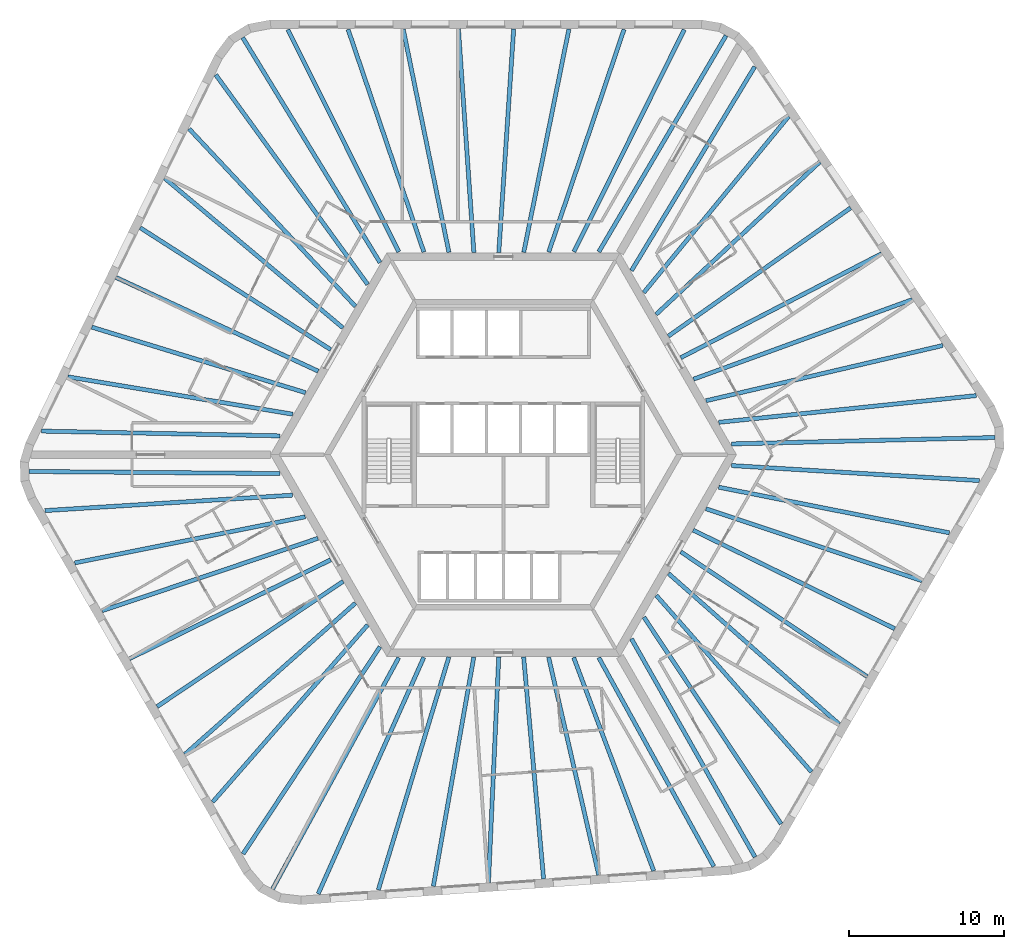
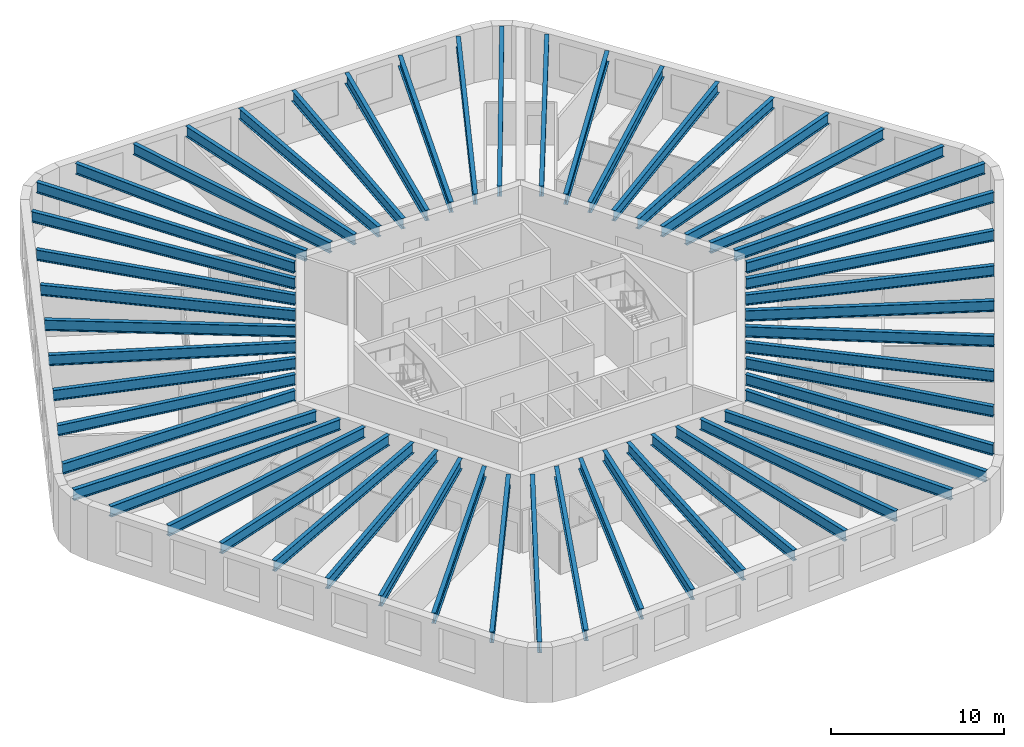
# One storey, part 1 of 10: 54 beams.
"""IFC4 building model written with IfcOpenShell, lengths in metres."""

from ifc_helpers import new_model, si_unit, direction, frame, origin, origin_2d, place, context, subcontext, project, spatial, i_section, extrude, material, material_profile, profile_set, type_object, element, save


model = new_model("IFC4")

# Units and contexts
model_context = context("Model", 3, precision=1e-05, world=origin(), true_north=direction((0.0, 1.0)))
body_context = subcontext(model_context, "Body", "Model", "MODEL_VIEW")
ifc_project = project(units=[si_unit("LENGTHUNIT", "METRE"), si_unit("AREAUNIT", "SQUARE_METRE"), si_unit("VOLUMEUNIT", "CUBIC_METRE"), si_unit("PLANEANGLEUNIT", "RADIAN"), si_unit("MASSUNIT", "GRAM", prefix="KILO")], contexts=[model_context])

# Site, building, storey
site_placement = place(None, origin())
site = spatial("IfcSite", under=ifc_project, at=site_placement, CompositionType="ELEMENT")
building_placement = place(site_placement, origin())
building = spatial("IfcBuilding", under=site, at=building_placement, Name="Tarnside Tower", CompositionType="ELEMENT")
storey_placement = place(building_placement, frame((0.0, 0.0, 172.199951171875)))
storey = spatial("IfcBuildingStorey", under=building, at=storey_placement, Name="L40", CompositionType="ELEMENT", Elevation=172.199951171875)

# Beams
ifc_material = material(Name="Steel S355", Category="steel")
ifc_material_profile_1 = material_profile(ifc_material, i_section(OverallWidth=0.26513671875, OverallDepth=0.75390625, WebThickness=0.0126953125, FlangeThickness=0.017578125, FilletRadius=0.0166015625, at=origin_2d()), Name="UB 762x267x147")
ifc_profile_set_1 = profile_set([ifc_material_profile_1], Name="Steel S355")
beam_type_1 = type_object("IfcBeamType", Name="Floor beam UB 762x267x147", PredefinedType="BEAM", material=ifc_profile_set_1)
beam_1_placement = place(storey_placement, frame((7.77001953125, 27.393310546875, 3.373046875), z_axis=(-0.320362579778, -0.947295000239, 0.0), x_axis=(0.947295000239, -0.320362579778, 0.0)))
element("IfcBeam", 1, at=beam_1_placement, inside=storey, type_object=beam_type_1, Name="Floor beam F1.02", PredefinedType="BEAM", context=body_context, shape_type="SweptSolid", body=[
    extrude(i_section(OverallWidth=0.26513671875, OverallDepth=0.75390625, WebThickness=0.0126953125, FlangeThickness=0.017578125, FilletRadius=0.0166015625, at=origin_2d()), origin(), (0.0, 0.0, 1.0), 15.134033203125),
])
beam_2_placement = place(storey_placement, frame((4.218505859375, 27.410888671875, 3.373046875), z_axis=(-0.19841777413, -0.980117537293, 0.0), x_axis=(0.980117537293, -0.19841777413, 0.0)))
element("IfcBeam", 2, at=beam_2_placement, inside=storey, type_object=beam_type_1, Name="Floor beam F1.03", PredefinedType="BEAM", context=body_context, shape_type="SweptSolid", body=[
    extrude(i_section(OverallWidth=0.26513671875, OverallDepth=0.75390625, WebThickness=0.0126953125, FlangeThickness=0.017578125, FilletRadius=0.0166015625, at=origin_2d()), origin(), (0.0, 0.0, 1.0), 14.6630859375),
])
beam_3_placement = place(storey_placement, frame((0.66259765625, 27.429931640625, 3.373046875), z_axis=(-0.066554914868, -0.997782763585, 0.0), x_axis=(0.997782763585, -0.066554914868, 0.0)))
element("IfcBeam", 3, at=beam_3_placement, inside=storey, type_object=beam_type_1, Name="Floor beam F1.04", PredefinedType="BEAM", context=body_context, shape_type="SweptSolid", body=[
    extrude(i_section(OverallWidth=0.26513671875, OverallDepth=0.75390625, WebThickness=0.0126953125, FlangeThickness=0.017578125, FilletRadius=0.0166015625, at=origin_2d()), origin(), (0.0, 0.0, 1.0), 14.44189453125),
])
beam_4_placement = place(storey_placement, frame((-2.8974609375, 27.429931640625, 3.373046875), z_axis=(0.068876921658, -0.997625164911, 0.0), x_axis=(0.997625164911, 0.068876921658, 0.0)))
element("IfcBeam", 4, at=beam_4_placement, inside=storey, type_object=beam_type_1, Name="Floor beam F1.05", PredefinedType="BEAM", context=body_context, shape_type="SweptSolid", body=[
    extrude(i_section(OverallWidth=0.26513671875, OverallDepth=0.75390625, WebThickness=0.0126953125, FlangeThickness=0.017578125, FilletRadius=0.0166015625, at=origin_2d()), origin(), (0.0, 0.0, 1.0), 14.4443359375),
])
beam_5_placement = place(storey_placement, frame((-6.45361328125, 27.410888671875, 3.373046875), z_axis=(0.200623497398, -0.979668419564, 0.0), x_axis=(0.979668419564, 0.200623497398, 0.0)))
element("IfcBeam", 5, at=beam_5_placement, inside=storey, type_object=beam_type_1, Name="Floor beam F1.06", PredefinedType="BEAM", context=body_context, shape_type="SweptSolid", body=[
    extrude(i_section(OverallWidth=0.26513671875, OverallDepth=0.75390625, WebThickness=0.0126953125, FlangeThickness=0.017578125, FilletRadius=0.0166015625, at=origin_2d()), origin(), (0.0, 0.0, 1.0), 14.669921875),
])
beam_6_placement = place(storey_placement, frame((-10.0048828125, 27.393310546875, 3.373046875), z_axis=(0.322343712034, -0.946622697442, 0.0), x_axis=(0.946622697442, 0.322343712034, 0.0)))
element("IfcBeam", 6, at=beam_6_placement, inside=storey, type_object=beam_type_1, Name="Floor beam F1.07", PredefinedType="BEAM", context=body_context, shape_type="SweptSolid", body=[
    extrude(i_section(OverallWidth=0.26513671875, OverallDepth=0.75390625, WebThickness=0.0126953125, FlangeThickness=0.017578125, FilletRadius=0.0166015625, at=origin_2d()), origin(), (0.0, 0.0, 1.0), 15.144775390625),
])
beam_7_placement = place(storey_placement, frame((-20.241455078125, 20.9892578125, 3.373046875), z_axis=(0.683752330283, -0.729714156936, 0.0), x_axis=(0.729714156936, 0.683752330283, 0.0)))
element("IfcBeam", 7, at=beam_7_placement, inside=storey, type_object=beam_type_1, Name="Floor beam F2.02", PredefinedType="BEAM", context=body_context, shape_type="SweptSolid", body=[
    extrude(i_section(OverallWidth=0.26513671875, OverallDepth=0.75390625, WebThickness=0.0126953125, FlangeThickness=0.017578125, FilletRadius=0.0166015625, at=origin_2d()), origin(), (0.0, 0.0, 1.0), 15.6591796875),
])
beam_8_placement = place(storey_placement, frame((-21.81396484375, 17.80419921875, 3.373046875), z_axis=(0.765948461073, -0.642901979294, 0.0), x_axis=(0.642901979294, 0.765948461073, 0.0)))
element("IfcBeam", 8, at=beam_8_placement, inside=storey, type_object=beam_type_1, Name="Floor beam F2.03", PredefinedType="BEAM", context=body_context, shape_type="SweptSolid", body=[
    extrude(i_section(OverallWidth=0.26513671875, OverallDepth=0.75390625, WebThickness=0.0126953125, FlangeThickness=0.017578125, FilletRadius=0.0166015625, at=origin_2d()), origin(), (0.0, 0.0, 1.0), 14.982177734375),
])
beam_9_placement = place(storey_placement, frame((-23.389892578125, 14.616455078125, 3.373046875), z_axis=(0.842378275633, -0.538886667808, 0.0), x_axis=(0.538886667808, 0.842378275633, 0.0)))
element("IfcBeam", 9, at=beam_9_placement, inside=storey, type_object=beam_type_1, Name="Floor beam F2.04", PredefinedType="BEAM", context=body_context, shape_type="SweptSolid", body=[
    extrude(i_section(OverallWidth=0.26513671875, OverallDepth=0.75390625, WebThickness=0.0126953125, FlangeThickness=0.017578125, FilletRadius=0.0166015625, at=origin_2d()), origin(), (0.0, 0.0, 1.0), 14.5595703125),
])
beam_10_placement = place(storey_placement, frame((-24.9501953125, 11.416748046875, 3.373046875), z_axis=(0.907310131748, -0.420462037321, 0.0), x_axis=(0.420462037321, 0.907310131748, 0.0)))
element("IfcBeam", 10, at=beam_10_placement, inside=storey, type_object=beam_type_1, Name="Floor beam F2.05", PredefinedType="BEAM", context=body_context, shape_type="SweptSolid", body=[
    extrude(i_section(OverallWidth=0.26513671875, OverallDepth=0.75390625, WebThickness=0.0126953125, FlangeThickness=0.017578125, FilletRadius=0.0166015625, at=origin_2d()), origin(), (0.0, 0.0, 1.0), 14.353515625),
])
beam_11_placement = place(storey_placement, frame((-26.510986328125, 8.2177734375, 3.373046875), z_axis=(0.956073348261, -0.293127536654, 0.0), x_axis=(0.293127536654, 0.956073348261, 0.0)))
element("IfcBeam", 11, at=beam_11_placement, inside=storey, type_object=beam_type_1, Name="Floor beam F2.06", PredefinedType="BEAM", context=body_context, shape_type="SweptSolid", body=[
    extrude(i_section(OverallWidth=0.26513671875, OverallDepth=0.75390625, WebThickness=0.0126953125, FlangeThickness=0.017578125, FilletRadius=0.0166015625, at=origin_2d()), origin(), (0.0, 0.0, 1.0), 14.3955078125),
])
beam_12_placement = place(storey_placement, frame((-28.0517578125, 5.015869140625, 3.373046875), z_axis=(0.986476498304, -0.163902770858, 0.0), x_axis=(0.163902770858, 0.986476498304, 0.0)))
element("IfcBeam", 12, at=beam_12_placement, inside=storey, type_object=beam_type_1, Name="Floor beam F2.07", PredefinedType="BEAM", context=body_context, shape_type="SweptSolid", body=[
    extrude(i_section(OverallWidth=0.26513671875, OverallDepth=0.75390625, WebThickness=0.0126953125, FlangeThickness=0.017578125, FilletRadius=0.0166015625, at=origin_2d()), origin(), (0.0, 0.0, 1.0), 14.680908203125),
])
beam_13_placement = place(storey_placement, frame((-29.73828125, 1.521484375, 3.373046875), z_axis=(0.999800142641, -0.019991867701, 0.0), x_axis=(0.019991867701, 0.999800142641, 0.0)))
element("IfcBeam", 13, at=beam_13_placement, inside=storey, type_object=beam_type_1, Name="Floor beam F2.08", PredefinedType="BEAM", context=body_context, shape_type="SweptSolid", body=[
    extrude(i_section(OverallWidth=0.26513671875, OverallDepth=0.75390625, WebThickness=0.0126953125, FlangeThickness=0.017578125, FilletRadius=0.0166015625, at=origin_2d()), origin(), (0.0, 0.0, 1.0), 15.3505859375),
])
beam_14_placement = place(storey_placement, frame((-27.608154296875, -6.967529296875, 3.373046875), z_axis=(0.980564540422, 0.196196794232, 0.0), x_axis=(-0.196196794232, 0.980564540422, 0.0)))
element("IfcBeam", 14, at=beam_14_placement, inside=storey, type_object=beam_type_1, Name="Floor beam F3.02", PredefinedType="BEAM", context=body_context, shape_type="SweptSolid", body=[
    extrude(i_section(OverallWidth=0.26513671875, OverallDepth=0.75390625, WebThickness=0.0126953125, FlangeThickness=0.017578125, FilletRadius=0.0166015625, at=origin_2d()), origin(), (0.0, 0.0, 1.0), 15.134033203125),
])
beam_15_placement = place(storey_placement, frame((-25.84765625, -10.052001953125, 3.373046875), z_axis=(0.948011835322, 0.31823507049, 0.0), x_axis=(-0.31823507049, 0.948011835322, 0.0)))
element("IfcBeam", 15, at=beam_15_placement, inside=storey, type_object=beam_type_1, Name="Floor beam F3.03", PredefinedType="BEAM", context=body_context, shape_type="SweptSolid", body=[
    extrude(i_section(OverallWidth=0.26513671875, OverallDepth=0.75390625, WebThickness=0.0126953125, FlangeThickness=0.017578125, FilletRadius=0.0166015625, at=origin_2d()), origin(), (0.0, 0.0, 1.0), 14.662841796875),
])
beam_16_placement = place(storey_placement, frame((-24.086181640625, -13.141357421875, 3.373046875), z_axis=(0.897375974806, 0.441266767206, 0.0), x_axis=(-0.441266767206, 0.897375974806, 0.0)))
element("IfcBeam", 16, at=beam_16_placement, inside=storey, type_object=beam_type_1, Name="Floor beam F3.04", PredefinedType="BEAM", context=body_context, shape_type="SweptSolid", body=[
    extrude(i_section(OverallWidth=0.26513671875, OverallDepth=0.75390625, WebThickness=0.0126953125, FlangeThickness=0.017578125, FilletRadius=0.0166015625, at=origin_2d()), origin(), (0.0, 0.0, 1.0), 14.442138671875),
])
beam_17_placement = place(storey_placement, frame((-22.306396484375, -16.224365234375, 3.373046875), z_axis=(0.829532486243, 0.558458462437, 0.0), x_axis=(-0.558458462437, 0.829532486243, 0.0)))
element("IfcBeam", 17, at=beam_17_placement, inside=storey, type_object=beam_type_1, Name="Floor beam F3.05", PredefinedType="BEAM", context=body_context, shape_type="SweptSolid", body=[
    extrude(i_section(OverallWidth=0.26513671875, OverallDepth=0.75390625, WebThickness=0.0126953125, FlangeThickness=0.017578125, FilletRadius=0.0166015625, at=origin_2d()), origin(), (0.0, 0.0, 1.0), 14.444580078125),
])
beam_18_placement = place(storey_placement, frame((-20.51171875, -19.294189453125, 3.373046875), z_axis=(0.74811408094, 0.663570133369, 0.0), x_axis=(-0.663570133369, 0.74811408094, 0.0)))
element("IfcBeam", 18, at=beam_18_placement, inside=storey, type_object=beam_type_1, Name="Floor beam F3.06", PredefinedType="BEAM", context=body_context, shape_type="SweptSolid", body=[
    extrude(i_section(OverallWidth=0.26513671875, OverallDepth=0.75390625, WebThickness=0.0126953125, FlangeThickness=0.017578125, FilletRadius=0.0166015625, at=origin_2d()), origin(), (0.0, 0.0, 1.0), 14.669677734375),
])
beam_19_placement = place(storey_placement, frame((-18.720703125, -22.361083984375, 3.373046875), z_axis=(0.658621010302, 0.752474826681, 0.0), x_axis=(-0.752474826681, 0.658621010302, 0.0)))
element("IfcBeam", 19, at=beam_19_placement, inside=storey, type_object=beam_type_1, Name="Floor beam F3.07", PredefinedType="BEAM", context=body_context, shape_type="SweptSolid", body=[
    extrude(i_section(OverallWidth=0.26513671875, OverallDepth=0.75390625, WebThickness=0.0126953125, FlangeThickness=0.017578125, FilletRadius=0.0166015625, at=origin_2d()), origin(), (0.0, 0.0, 1.0), 15.144775390625),
])
beam_20_placement = place(storey_placement, frame((-8.056396484375, -28.024169921875, 3.373046875), z_axis=(0.290070138838, 0.957005388989, 0.0), x_axis=(-0.957005388989, 0.290070138838, 0.0)))
element("IfcBeam", 20, at=beam_20_placement, inside=storey, type_object=beam_type_1, Name="Floor beam F4.02", PredefinedType="BEAM", context=body_context, shape_type="SweptSolid", body=[
    extrude(i_section(OverallWidth=0.26513671875, OverallDepth=0.75390625, WebThickness=0.0126953125, FlangeThickness=0.017578125, FilletRadius=0.0166015625, at=origin_2d()), origin(), (0.0, 0.0, 1.0), 15.6591796875),
])
beam_21_placement = place(storey_placement, frame((-4.511962890625, -27.793701171875, 3.373046875), z_axis=(0.173788122681, 0.984783066678, 0.0), x_axis=(-0.984783066678, 0.173788122681, 0.0)))
element("IfcBeam", 21, at=beam_21_placement, inside=storey, type_object=beam_type_1, Name="Floor beam F4.03", PredefinedType="BEAM", context=body_context, shape_type="SweptSolid", body=[
    extrude(i_section(OverallWidth=0.26513671875, OverallDepth=0.75390625, WebThickness=0.0126953125, FlangeThickness=0.017578125, FilletRadius=0.0166015625, at=origin_2d()), origin(), (0.0, 0.0, 1.0), 14.982421875),
])
beam_22_placement = place(storey_placement, frame((-0.96337890625, -27.564453125, 3.373046875), z_axis=(0.045509585226, 0.998963902077, 0.0), x_axis=(-0.998963902077, 0.045509585226, 0.0)))
element("IfcBeam", 22, at=beam_22_placement, inside=storey, type_object=beam_type_1, Name="Floor beam F4.04", PredefinedType="BEAM", context=body_context, shape_type="SweptSolid", body=[
    extrude(i_section(OverallWidth=0.26513671875, OverallDepth=0.75390625, WebThickness=0.0126953125, FlangeThickness=0.017578125, FilletRadius=0.0166015625, at=origin_2d()), origin(), (0.0, 0.0, 1.0), 14.5595703125),
])
beam_23_placement = place(storey_placement, frame((2.587890625, -27.31591796875, 3.373046875), z_axis=(-0.089518916897, 0.995985122137, 0.0), x_axis=(-0.995985122137, -0.089518916897, 0.0)))
element("IfcBeam", 23, at=beam_23_placement, inside=storey, type_object=beam_type_1, Name="Floor beam F4.05", PredefinedType="BEAM", context=body_context, shape_type="SweptSolid", body=[
    extrude(i_section(OverallWidth=0.26513671875, OverallDepth=0.75390625, WebThickness=0.0126953125, FlangeThickness=0.017578125, FilletRadius=0.0166015625, at=origin_2d()), origin(), (0.0, 0.0, 1.0), 14.353515625),
])
beam_24_placement = place(storey_placement, frame((6.138671875, -27.068115234375, 3.373046875), z_axis=(-0.224188122435, 0.974545886944, 0.0), x_axis=(-0.974545886944, -0.224188122435, 0.0)))
element("IfcBeam", 24, at=beam_24_placement, inside=storey, type_object=beam_type_1, Name="Floor beam F4.06", PredefinedType="BEAM", context=body_context, shape_type="SweptSolid", body=[
    extrude(i_section(OverallWidth=0.26513671875, OverallDepth=0.75390625, WebThickness=0.0126953125, FlangeThickness=0.017578125, FilletRadius=0.0166015625, at=origin_2d()), origin(), (0.0, 0.0, 1.0), 14.3955078125),
])
beam_25_placement = place(storey_placement, frame((9.681884765625, -26.801513671875, 3.373046875), z_axis=(-0.351271055087, 0.936273809234, 0.0), x_axis=(-0.936273809234, -0.351271055087, 0.0)))
element("IfcBeam", 25, at=beam_25_placement, inside=storey, type_object=beam_type_1, Name="Floor beam F4.07", PredefinedType="BEAM", context=body_context, shape_type="SweptSolid", body=[
    extrude(i_section(OverallWidth=0.26513671875, OverallDepth=0.75390625, WebThickness=0.0126953125, FlangeThickness=0.017578125, FilletRadius=0.0166015625, at=origin_2d()), origin(), (0.0, 0.0, 1.0), 14.680908203125),
])
beam_26_placement = place(storey_placement, frame((13.551513671875, -26.514892578125, 3.373046875), z_axis=(-0.482584088089, 0.875849643445, 0.0), x_axis=(-0.875849643445, -0.482584088089, 0.0)))
element("IfcBeam", 26, at=beam_26_placement, inside=storey, type_object=beam_type_1, Name="Floor beam F4.08", PredefinedType="BEAM", context=body_context, shape_type="SweptSolid", body=[
    extrude(i_section(OverallWidth=0.26513671875, OverallDepth=0.75390625, WebThickness=0.0126953125, FlangeThickness=0.017578125, FilletRadius=0.0166015625, at=origin_2d()), origin(), (0.0, 0.0, 1.0), 15.3505859375),
])
beam_27_placement = place(storey_placement, frame((19.838134765625, -20.425537109375, 3.373046875), z_axis=(-0.660201214512, 0.751088780609, 0.0), x_axis=(-0.751088780609, -0.660201214512, 0.0)))
element("IfcBeam", 27, at=beam_27_placement, inside=storey, type_object=beam_type_1, Name="Floor beam F5.02", PredefinedType="BEAM", context=body_context, shape_type="SweptSolid", body=[
    extrude(i_section(OverallWidth=0.26513671875, OverallDepth=0.75390625, WebThickness=0.0126953125, FlangeThickness=0.017578125, FilletRadius=0.0166015625, at=origin_2d()), origin(), (0.0, 0.0, 1.0), 15.134033203125),
])
beam_28_placement = place(storey_placement, frame((21.629150390625, -17.358642578125, 3.373046875), z_axis=(-0.749601662028, 0.661889226597, 0.0), x_axis=(-0.661889226597, -0.749601662028, 0.0)))
element("IfcBeam", 28, at=beam_28_placement, inside=storey, type_object=beam_type_1, Name="Floor beam F5.03", PredefinedType="BEAM", context=body_context, shape_type="SweptSolid", body=[
    extrude(i_section(OverallWidth=0.26513671875, OverallDepth=0.75390625, WebThickness=0.0126953125, FlangeThickness=0.017578125, FilletRadius=0.0166015625, at=origin_2d()), origin(), (0.0, 0.0, 1.0), 14.6630859375),
])
beam_29_placement = place(storey_placement, frame((23.423828125, -14.288818359375, 3.373046875), z_axis=(-0.830825943553, 0.556532345439, 0.0), x_axis=(-0.556532345439, -0.830825943553, 0.0)))
element("IfcBeam", 29, at=beam_29_placement, inside=storey, type_object=beam_type_1, Name="Floor beam F5.04", PredefinedType="BEAM", context=body_context, shape_type="SweptSolid", body=[
    extrude(i_section(OverallWidth=0.26513671875, OverallDepth=0.75390625, WebThickness=0.0126953125, FlangeThickness=0.017578125, FilletRadius=0.0166015625, at=origin_2d()), origin(), (0.0, 0.0, 1.0), 14.4423828125),
])
beam_30_placement = place(storey_placement, frame((25.203857421875, -11.205810546875, 3.373046875), z_axis=(-0.898407034897, 0.43916375038, 0.0), x_axis=(-0.43916375038, -0.898407034897, 0.0)))
element("IfcBeam", 30, at=beam_30_placement, inside=storey, type_object=beam_type_1, Name="Floor beam F5.05", PredefinedType="BEAM", context=body_context, shape_type="SweptSolid", body=[
    extrude(i_section(OverallWidth=0.26513671875, OverallDepth=0.75390625, WebThickness=0.0126953125, FlangeThickness=0.017578125, FilletRadius=0.0166015625, at=origin_2d()), origin(), (0.0, 0.0, 1.0), 14.444580078125),
])
beam_31_placement = place(storey_placement, frame((26.965087890625, -8.116455078125, 3.373046875), z_axis=(-0.948728223501, 0.31609295774, 0.0), x_axis=(-0.31609295774, -0.948728223501, 0.0)))
element("IfcBeam", 31, at=beam_31_placement, inside=storey, type_object=beam_type_1, Name="Floor beam F5.06", PredefinedType="BEAM", context=body_context, shape_type="SweptSolid", body=[
    extrude(i_section(OverallWidth=0.26513671875, OverallDepth=0.75390625, WebThickness=0.0126953125, FlangeThickness=0.017578125, FilletRadius=0.0166015625, at=origin_2d()), origin(), (0.0, 0.0, 1.0), 14.669677734375),
])
beam_32_placement = place(storey_placement, frame((28.7255859375, -5.031982421875, 3.373046875), z_axis=(-0.980974250646, 0.194137888034, 0.0), x_axis=(-0.194137888034, -0.980974250646, 0.0)))
element("IfcBeam", 32, at=beam_32_placement, inside=storey, type_object=beam_type_1, Name="Floor beam F5.07", PredefinedType="BEAM", context=body_context, shape_type="SweptSolid", body=[
    extrude(i_section(OverallWidth=0.26513671875, OverallDepth=0.75390625, WebThickness=0.0126953125, FlangeThickness=0.017578125, FilletRadius=0.0166015625, at=origin_2d()), origin(), (0.0, 0.0, 1.0), 15.144775390625),
])
beam_33_placement = place(storey_placement, frame((28.2978515625, 7.034912109375, 3.373046875), z_axis=(-0.973828212928, -0.227285309042, 0.0), x_axis=(0.227285309042, -0.973828212928, 0.0)))
element("IfcBeam", 33, at=beam_33_placement, inside=storey, type_object=beam_type_1, Name="Floor beam F6.02", PredefinedType="BEAM", context=body_context, shape_type="SweptSolid", body=[
    extrude(i_section(OverallWidth=0.26513671875, OverallDepth=0.75390625, WebThickness=0.0126953125, FlangeThickness=0.017578125, FilletRadius=0.0166015625, at=origin_2d()), origin(), (0.0, 0.0, 1.0), 15.6591796875),
])
beam_34_placement = place(storey_placement, frame((26.325927734375, 9.989501953125, 3.373046875), z_axis=(-0.939738697004, -0.341893523415, 0.0), x_axis=(0.341893523415, -0.939738697004, 0.0)))
element("IfcBeam", 34, at=beam_34_placement, inside=storey, type_object=beam_type_1, Name="Floor beam F6.03", PredefinedType="BEAM", context=body_context, shape_type="SweptSolid", body=[
    extrude(i_section(OverallWidth=0.26513671875, OverallDepth=0.75390625, WebThickness=0.0126953125, FlangeThickness=0.017578125, FilletRadius=0.0166015625, at=origin_2d()), origin(), (0.0, 0.0, 1.0), 14.982177734375),
])
beam_35_placement = place(storey_placement, frame((24.353271484375, 12.947998046875, 3.373046875), z_axis=(-0.887881646639, -0.460071930856, 0.0), x_axis=(0.460071930856, -0.887881646639, 0.0)))
element("IfcBeam", 35, at=beam_35_placement, inside=storey, type_object=beam_type_1, Name="Floor beam F6.04", PredefinedType="BEAM", context=body_context, shape_type="SweptSolid", body=[
    extrude(i_section(OverallWidth=0.26513671875, OverallDepth=0.75390625, WebThickness=0.0126953125, FlangeThickness=0.017578125, FilletRadius=0.0166015625, at=origin_2d()), origin(), (0.0, 0.0, 1.0), 14.5595703125),
])
beam_36_placement = place(storey_placement, frame((22.3623046875, 15.899169921875, 3.373046875), z_axis=(-0.817791001708, -0.575515314762, 0.0), x_axis=(0.575515314762, -0.817791001708, 0.0)))
element("IfcBeam", 36, at=beam_36_placement, inside=storey, type_object=beam_type_1, Name="Floor beam F6.05", PredefinedType="BEAM", context=body_context, shape_type="SweptSolid", body=[
    extrude(i_section(OverallWidth=0.26513671875, OverallDepth=0.75390625, WebThickness=0.0126953125, FlangeThickness=0.017578125, FilletRadius=0.0166015625, at=origin_2d()), origin(), (0.0, 0.0, 1.0), 14.353759765625),
])
beam_37_placement = place(storey_placement, frame((20.372314453125, 18.850341796875, 3.373046875), z_axis=(-0.731892224456, -0.681420407517, 0.0), x_axis=(0.681420407517, -0.731892224456, 0.0)))
element("IfcBeam", 37, at=beam_37_placement, inside=storey, type_object=beam_type_1, Name="Floor beam F6.06", PredefinedType="BEAM", context=body_context, shape_type="SweptSolid", body=[
    extrude(i_section(OverallWidth=0.26513671875, OverallDepth=0.75390625, WebThickness=0.0126953125, FlangeThickness=0.017578125, FilletRadius=0.0166015625, at=origin_2d()), origin(), (0.0, 0.0, 1.0), 14.3955078125),
])
beam_38_placement = place(storey_placement, frame((18.369873046875, 21.78564453125, 3.373046875), z_axis=(-0.635191827457, -0.772354414975, 0.0), x_axis=(0.772354414975, -0.635191827457, 0.0)))
element("IfcBeam", 38, at=beam_38_placement, inside=storey, type_object=beam_type_1, Name="Floor beam F6.07", PredefinedType="BEAM", context=body_context, shape_type="SweptSolid", body=[
    extrude(i_section(OverallWidth=0.26513671875, OverallDepth=0.75390625, WebThickness=0.0126953125, FlangeThickness=0.017578125, FilletRadius=0.0166015625, at=origin_2d()), origin(), (0.0, 0.0, 1.0), 14.680908203125),
])
beam_39_placement = place(storey_placement, frame((16.186767578125, 24.993408203125, 3.373046875), z_axis=(-0.517208605106, -0.855859368591, 0.0), x_axis=(0.855859368591, -0.517208605106, 0.0)))
element("IfcBeam", 39, at=beam_39_placement, inside=storey, type_object=beam_type_1, Name="Floor beam F6.08", PredefinedType="BEAM", context=body_context, shape_type="SweptSolid", body=[
    extrude(i_section(OverallWidth=0.26513671875, OverallDepth=0.75390625, WebThickness=0.0126953125, FlangeThickness=0.017578125, FilletRadius=0.0166015625, at=origin_2d()), origin(), (0.0, 0.0, 1.0), 15.3505859375),
])
ifc_material_profile_2 = material_profile(ifc_material, i_section(OverallWidth=0.2666015625, OverallDepth=0.76220703125, WebThickness=0.014404296875, FlangeThickness=0.021484375, FilletRadius=0.0166015625, at=origin_2d()), Name="UB 762x267x173")
ifc_profile_set_2 = profile_set([ifc_material_profile_2], Name="Steel S355")
beam_type_2 = type_object("IfcBeamType", Name="Floor beam UB 762x267x173", PredefinedType="BEAM", material=ifc_profile_set_2)
beam_40_placement = place(storey_placement, frame((11.6494140625, 27.37841796875, 3.368896484375), z_axis=(-0.445042310328, -0.895509543231, 0.0), x_axis=(0.895509543231, -0.445042310328, 0.0)))
element("IfcBeam", 40, at=beam_40_placement, inside=storey, type_object=beam_type_2, Name="Floor beam F1.01", PredefinedType="BEAM", context=body_context, shape_type="SweptSolid", body=[
    extrude(i_section(OverallWidth=0.2666015625, OverallDepth=0.76220703125, WebThickness=0.014404296875, FlangeThickness=0.021484375, FilletRadius=0.0166015625, at=origin_2d()), origin(), (0.0, 0.0, 1.0), 15.976318359375),
])
beam_41_placement = place(storey_placement, frame((-13.884521484375, 27.37841796875, 3.368896484375), z_axis=(0.44673108957, -0.894668281326, 0.0), x_axis=(0.894668281326, 0.44673108957, 0.0)))
element("IfcBeam", 41, at=beam_41_placement, inside=storey, type_object=beam_type_2, Name="Floor beam F1.08", PredefinedType="BEAM", context=body_context, shape_type="SweptSolid", body=[
    extrude(i_section(OverallWidth=0.2666015625, OverallDepth=0.76220703125, WebThickness=0.014404296875, FlangeThickness=0.021484375, FilletRadius=0.0166015625, at=origin_2d()), origin(), (0.0, 0.0, 1.0), 15.9912109375),
])
beam_42_placement = place(storey_placement, frame((-16.79345703125, 26.86962890625, 3.368896484375), z_axis=(0.520940467881, -0.853593011291, 0.0), x_axis=(0.853593011291, 0.520940467881, 0.0)))
element("IfcBeam", 42, at=beam_42_placement, inside=storey, type_object=beam_type_2, Name="Floor beam C1", PredefinedType="BEAM", context=body_context, shape_type="SweptSolid", body=[
    extrude(i_section(OverallWidth=0.2666015625, OverallDepth=0.76220703125, WebThickness=0.014404296875, FlangeThickness=0.021484375, FilletRadius=0.0166015625, at=origin_2d()), origin(), (0.0, 0.0, 1.0), 16.980712890625),
])
beam_43_placement = place(storey_placement, frame((-18.52685546875, 24.471435546875, 3.368896484375), z_axis=(0.586791943415, -0.80973774467, 0.0), x_axis=(0.80973774467, 0.586791943415, 0.0)))
element("IfcBeam", 43, at=beam_43_placement, inside=storey, type_object=beam_type_2, Name="Floor beam F2.01", PredefinedType="BEAM", context=body_context, shape_type="SweptSolid", body=[
    extrude(i_section(OverallWidth=0.2666015625, OverallDepth=0.76220703125, WebThickness=0.014404296875, FlangeThickness=0.021484375, FilletRadius=0.0166015625, at=origin_2d()), origin(), (0.0, 0.0, 1.0), 16.67578125),
])
beam_44_placement = place(storey_placement, frame((-30.543212890625, -1.079345703125, 3.368896484375), z_axis=(0.999966072652, -0.008237326324, 0.0), x_axis=(0.008237326324, 0.999966072652, 0.0)))
element("IfcBeam", 44, at=beam_44_placement, inside=storey, type_object=beam_type_2, Name="Floor beam C2", PredefinedType="BEAM", context=body_context, shape_type="SweptSolid", body=[
    extrude(i_section(OverallWidth=0.2666015625, OverallDepth=0.76220703125, WebThickness=0.014404296875, FlangeThickness=0.021484375, FilletRadius=0.0166015625, at=origin_2d()), origin(), (0.0, 0.0, 1.0), 16.15283203125),
])
beam_45_placement = place(storey_placement, frame((-29.534912109375, -3.6005859375, 3.368896484375), z_axis=(0.99805531279, 0.062334521832, 0.0), x_axis=(-0.062334521832, 0.99805531279, 0.0)))
element("IfcBeam", 45, at=beam_45_placement, inside=storey, type_object=beam_type_2, Name="Floor beam F3.01", PredefinedType="BEAM", context=body_context, shape_type="SweptSolid", body=[
    extrude(i_section(OverallWidth=0.2666015625, OverallDepth=0.76220703125, WebThickness=0.014404296875, FlangeThickness=0.021484375, FilletRadius=0.0166015625, at=origin_2d()), origin(), (0.0, 0.0, 1.0), 15.975830078125),
])
beam_46_placement = place(storey_placement, frame((-16.768310546875, -25.71337890625, 3.368896484375), z_axis=(0.551447600123, 0.834209532623, 0.0), x_axis=(-0.834209532623, 0.551447600123, 0.0)))
element("IfcBeam", 46, at=beam_46_placement, inside=storey, type_object=beam_type_2, Name="Floor beam F3.08", PredefinedType="BEAM", context=body_context, shape_type="SweptSolid", body=[
    extrude(i_section(OverallWidth=0.2666015625, OverallDepth=0.76220703125, WebThickness=0.014404296875, FlangeThickness=0.021484375, FilletRadius=0.0166015625, at=origin_2d()), origin(), (0.0, 0.0, 1.0), 15.9912109375),
])
beam_47_placement = place(storey_placement, frame((-14.873046875, -27.978515625, 3.368896484375), z_axis=(0.478767512404, 0.877941723047, 0.0), x_axis=(-0.877941723047, 0.478767512404, 0.0)))
element("IfcBeam", 47, at=beam_47_placement, inside=storey, type_object=beam_type_2, Name="Floor beam C3", PredefinedType="BEAM", context=body_context, shape_type="SweptSolid", body=[
    extrude(i_section(OverallWidth=0.2666015625, OverallDepth=0.76220703125, WebThickness=0.014404296875, FlangeThickness=0.021484375, FilletRadius=0.0166015625, at=origin_2d()), origin(), (0.0, 0.0, 1.0), 16.98095703125),
])
beam_48_placement = place(storey_placement, frame((-11.929443359375, -28.280517578125, 3.368896484375), z_axis=(0.407852035629, 0.913048036542, 0.0), x_axis=(-0.913048036542, 0.407852035629, 0.0)))
element("IfcBeam", 48, at=beam_48_placement, inside=storey, type_object=beam_type_2, Name="Floor beam F4.01", PredefinedType="BEAM", context=body_context, shape_type="SweptSolid", body=[
    extrude(i_section(OverallWidth=0.2666015625, OverallDepth=0.76220703125, WebThickness=0.014404296875, FlangeThickness=0.021484375, FilletRadius=0.0166015625, at=origin_2d()), origin(), (0.0, 0.0, 1.0), 16.67578125),
])
beam_49_placement = place(storey_placement, frame((16.206298828125, -25.91162109375, 3.368896484375), z_axis=(-0.492847437034, 0.870115741616, 0.0), x_axis=(-0.870115741616, -0.492847437034, 0.0)))
element("IfcBeam", 49, at=beam_49_placement, inside=storey, type_object=beam_type_2, Name="Floor beam C4", PredefinedType="BEAM", context=body_context, shape_type="SweptSolid", body=[
    extrude(i_section(OverallWidth=0.2666015625, OverallDepth=0.76220703125, WebThickness=0.014404296875, FlangeThickness=0.021484375, FilletRadius=0.0166015625, at=origin_2d()), origin(), (0.0, 0.0, 1.0), 16.15283203125),
])
beam_50_placement = place(storey_placement, frame((17.8857421875, -23.77783203125, 3.368896484375), z_axis=(-0.553013371197, 0.833172377889, 0.0), x_axis=(-0.833172377889, -0.553013371197, 0.0)))
element("IfcBeam", 50, at=beam_50_placement, inside=storey, type_object=beam_type_2, Name="Floor beam F5.01", PredefinedType="BEAM", context=body_context, shape_type="SweptSolid", body=[
    extrude(i_section(OverallWidth=0.2666015625, OverallDepth=0.76220703125, WebThickness=0.014404296875, FlangeThickness=0.021484375, FilletRadius=0.0166015625, at=origin_2d()), origin(), (0.0, 0.0, 1.0), 15.97607421875),
])
beam_51_placement = place(storey_placement, frame((30.652587890625, -1.6650390625, 3.368896484375), z_axis=(-0.998170730858, 0.060458184371, 0.0), x_axis=(-0.060458184371, -0.998170730858, 0.0)))
element("IfcBeam", 51, at=beam_51_placement, inside=storey, type_object=beam_type_2, Name="Floor beam F5.08", PredefinedType="BEAM", context=body_context, shape_type="SweptSolid", body=[
    extrude(i_section(OverallWidth=0.2666015625, OverallDepth=0.76220703125, WebThickness=0.014404296875, FlangeThickness=0.021484375, FilletRadius=0.0166015625, at=origin_2d()), origin(), (0.0, 0.0, 1.0), 15.9912109375),
])
beam_52_placement = place(storey_placement, frame((31.66650390625, 1.108642578125, 3.368896484375), z_axis=(-0.999703706976, -0.024341287118, 0.0), x_axis=(0.024341287118, -0.999703706976, 0.0)))
element("IfcBeam", 52, at=beam_52_placement, inside=storey, type_object=beam_type_2, Name="Floor beam C5", PredefinedType="BEAM", context=body_context, shape_type="SweptSolid", body=[
    extrude(i_section(OverallWidth=0.2666015625, OverallDepth=0.76220703125, WebThickness=0.014404296875, FlangeThickness=0.021484375, FilletRadius=0.0166015625, at=origin_2d()), origin(), (0.0, 0.0, 1.0), 16.980712890625),
])
beam_53_placement = place(storey_placement, frame((30.456298828125, 3.80908203125, 3.368896484375), z_axis=(-0.994648352349, -0.103318222829, 0.0), x_axis=(0.103318222829, -0.994648352349, 0.0)))
element("IfcBeam", 53, at=beam_53_placement, inside=storey, type_object=beam_type_2, Name="Floor beam F6.01", PredefinedType="BEAM", context=body_context, shape_type="SweptSolid", body=[
    extrude(i_section(OverallWidth=0.2666015625, OverallDepth=0.76220703125, WebThickness=0.014404296875, FlangeThickness=0.021484375, FilletRadius=0.0166015625, at=origin_2d()), origin(), (0.0, 0.0, 1.0), 16.67578125),
])
beam_54_placement = place(storey_placement, frame((14.3369140625, 26.990966796875, 3.368896484375), z_axis=(-0.507115238706, -0.861878259775, 0.0), x_axis=(0.861878259775, -0.507115238706, 0.0)))
element("IfcBeam", 54, at=beam_54_placement, inside=storey, type_object=beam_type_2, Name="Floor beam C6", PredefinedType="BEAM", context=body_context, shape_type="SweptSolid", body=[
    extrude(i_section(OverallWidth=0.2666015625, OverallDepth=0.76220703125, WebThickness=0.014404296875, FlangeThickness=0.021484375, FilletRadius=0.0166015625, at=origin_2d()), origin(), (0.0, 0.0, 1.0), 16.15283203125),
])

save(model, "model.ifc")
